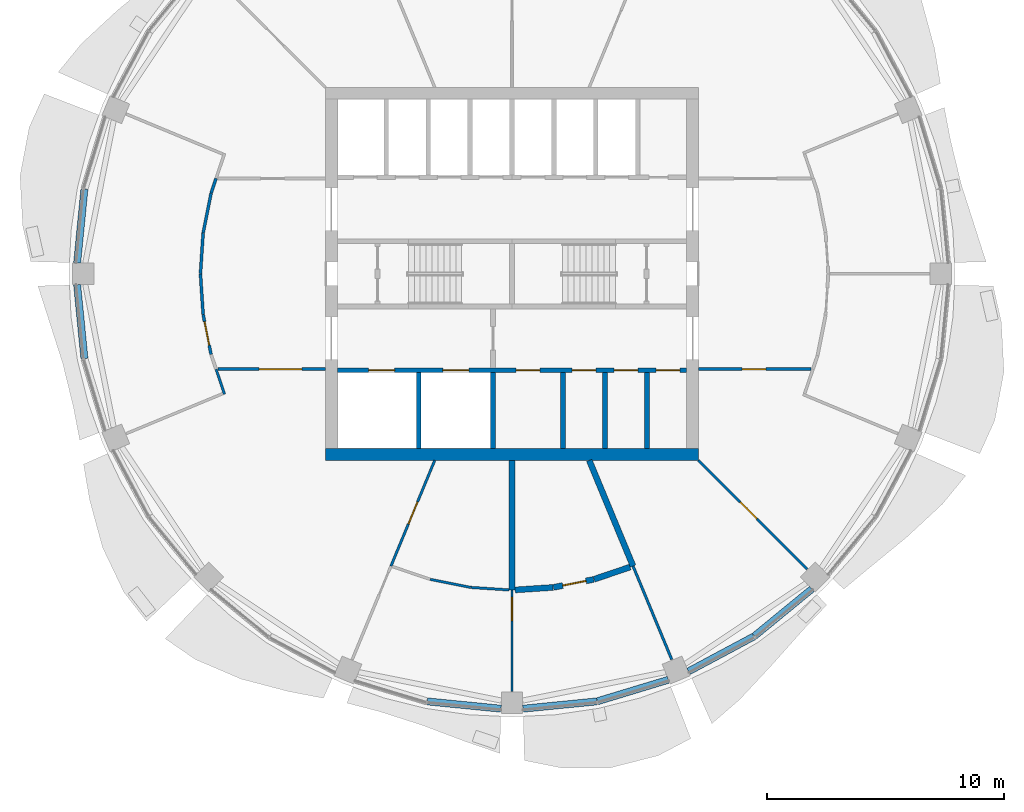
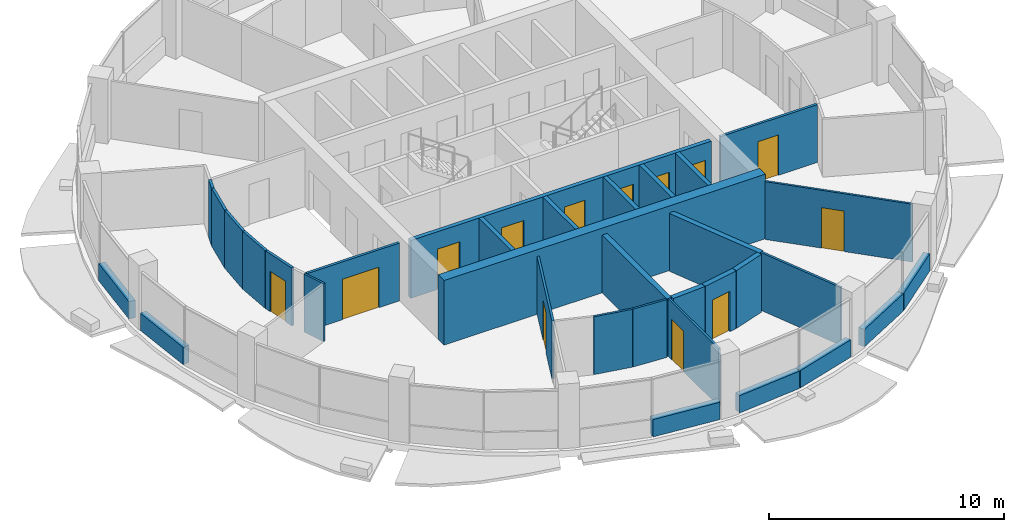
# One storey, part 8 of 15: 33 walls, 13 doors, 13 openings.
"""IFC4 building model written with IfcOpenShell, lengths in metres."""

from ifc_helpers import new_model, si_unit, direction, frame, frame_2d, origin, place, context, subcontext, project, spatial, rectangle, extrude, material, layer, layer_set, type_object, element, fill, save


model = new_model("IFC4")

# Units and contexts
model_context = context("Model", 3, precision=1e-05, world=origin(), true_north=direction((0.0, 1.0)))
body_context = subcontext(model_context, "Body", "Model", "MODEL_VIEW")
ifc_project = project(units=[si_unit("LENGTHUNIT", "METRE"), si_unit("AREAUNIT", "SQUARE_METRE"), si_unit("VOLUMEUNIT", "CUBIC_METRE"), si_unit("PLANEANGLEUNIT", "RADIAN"), si_unit("MASSUNIT", "GRAM", prefix="KILO")], contexts=[model_context])

# Site, building, storey
site_placement = place(None, origin())
site = spatial("IfcSite", under=ifc_project, at=site_placement, CompositionType="ELEMENT")
building_placement = place(site_placement, origin())
building = spatial("IfcBuilding", under=site, at=building_placement, Name="Polderwave Tower", CompositionType="ELEMENT")
storey_placement = place(building_placement, frame((0.0, 0.0, 167.550048828125)))
storey = spatial("IfcBuildingStorey", under=building, at=storey_placement, Name="L44", CompositionType="ELEMENT", Elevation=167.550048828125)

# Walls
ifc_material_1 = material(Name="Concrete C60/75", Category="concrete")
ifc_layer_1 = layer(ifc_material_1, 0.5)
ifc_layer_set_1 = layer_set([ifc_layer_1], Name="CORE WALL 500 C60/75")
wall_type_1 = type_object("IfcWallType", Name="CORE WALL 500 C60/75", PredefinedType="SHEAR", material=ifc_layer_set_1)
wall_1_placement = place(storey_placement, frame((-7.8740234375, -7.6240234375, 0.0), z_axis=(0.0, 0.0, 1.0), x_axis=(1.0, 0.0, 0.0)))
element("IfcWall", 1, at=wall_1_placement, inside=storey, type_object=wall_type_1, Name="ST-CORE-L44-S", PredefinedType="SHEAR", context=body_context, shape_type="SweptSolid", body=[
    extrude(rectangle(XDim=15.748046875, YDim=0.5, at=frame_2d((7.8740234375, 0.0))), origin(), (0.0, 0.0, 1.0), 3.349853515625),
])
ifc_material_2 = material(Name="Concrete C50/60 (board-marked)", Category="concrete")
ifc_layer_2 = layer(ifc_material_2, 0.300048828125)
ifc_layer_set_2 = layer_set([ifc_layer_2], Name="Concrete spandrel upstand C50/60")
wall_type_2 = type_object("IfcWallType", Name="Concrete spandrel upstand C50/60", PredefinedType="SOLIDWALL", material=ifc_layer_set_2)
for number, where, z_axis, x_axis, name in (
    (2, (-18.047607421875, 3.57421875, 0.0), (0.0, 0.0, 1.0), (-0.098188848083, -0.995167799978, 0.0), "Spandrel L44 8b"),
    (3, (-18.3544921875, -0.4638671875, 0.0), (0.0, 0.0, 1.0), (0.098188848083, -0.995167799978, 0.0), "Spandrel L44 9a"),
    (4, (-3.57421875, -18.047607421875, 0.0), (0.0, 0.0, 1.0), (0.995167799978, -0.098188848083, 0.0), "Spandrel L44 12b"),
    (5, (0.4638671875, -18.3544921875, 0.0), (0.0, 0.0, 1.0), (0.995167799978, 0.098188848083, 0.0), "Spandrel L44 13a"),
):
    element("IfcWall", number, at=place(storey_placement, frame(where, z_axis=z_axis, x_axis=x_axis)), inside=storey, type_object=wall_type_2, Name=name, PredefinedType="SOLIDWALL", context=body_context, shape_type="SweptSolid", body=[
        extrude(rectangle(XDim=3.12548828125, YDim=0.300048828125, at=frame_2d((1.562744140625, 0.0))), origin(), (0.0, 0.0, 1.0), 0.89990234375),
    ])
wall_2_placement = place(storey_placement, frame((3.603515625, -18.04150390625, 0.0), z_axis=(0.0, 0.0, 1.0), x_axis=(0.957001416136, 0.290083245834, 0.0)))
element("IfcWall", 6, at=wall_2_placement, inside=storey, type_object=wall_type_2, Name="Spandrel L44 13b", PredefinedType="SOLIDWALL", context=body_context, shape_type="SweptSolid", body=[
    extrude(rectangle(XDim=3.126708984375, YDim=0.300048828125, at=frame_2d((1.5634765625, 0.0))), origin(), (0.0, 0.0, 1.0), 0.89990234375),
])
wall_3_placement = place(storey_placement, frame((7.4521484375, -16.77880859375, 0.0), z_axis=(0.0, 0.0, 1.0), x_axis=(0.882024038027, 0.47120441036, 0.0)))
element("IfcWall", 7, at=wall_3_placement, inside=storey, type_object=wall_type_2, Name="Spandrel L44 14a", PredefinedType="SOLIDWALL", context=body_context, shape_type="SweptSolid", body=[
    extrude(rectangle(XDim=3.125244140625, YDim=0.300048828125, at=frame_2d((1.5625, 0.0))), origin(), (0.0, 0.0, 1.0), 0.89990234375),
])
wall_4_placement = place(storey_placement, frame((10.233642578125, -15.28955078125, 0.0), z_axis=(0.0, 0.0, 1.0), x_axis=(0.773170547901, 0.634198158195, 0.0)))
element("IfcWall", 8, at=wall_4_placement, inside=storey, type_object=wall_type_2, Name="Spandrel L44 14b", PredefinedType="SOLIDWALL", context=body_context, shape_type="SweptSolid", body=[
    extrude(rectangle(XDim=3.126953125, YDim=0.300048828125, at=frame_2d((1.5634765625, 0.0))), origin(), (0.0, 0.0, 1.0), 0.89990234375),
])
ifc_material_3 = material(Name="Gypsum board partition")
ifc_layer_3 = layer(ifc_material_3, 0.199951171875)
ifc_layer_set_3 = layer_set([ifc_layer_3], Name="Core room partition 200")
wall_type_3 = type_object("IfcWallType", Name="Core room partition 200", PredefinedType="PARTITIONING", material=ifc_layer_set_3)
for number, where, z_axis, x_axis, name in (
    (9, (2.153564453125, -7.3740234375, 0.0), (0.0, 0.0, 1.0), (0.0, 1.0, 0.0), "L44 room partition S1"),
    (10, (3.927001953125, -7.3740234375, 0.0), (0.0, 0.0, 1.0), (0.0, 1.0, 0.0), "L44 room partition S2"),
    (11, (5.700439453125, -7.3740234375, 0.0), (0.0, 0.0, 1.0), (0.0, 1.0, 0.0), "L44 room partition S3"),
):
    element("IfcWall", number, at=place(storey_placement, frame(where, z_axis=z_axis, x_axis=x_axis)), inside=storey, type_object=wall_type_3, Name=name, PredefinedType="PARTITIONING", context=body_context, shape_type="SweptSolid", body=[
        extrude(rectangle(XDim=3.199951171875, YDim=0.199951171875, at=frame_2d((1.60009765625, 0.0))), origin(), (0.0, 0.0, 1.0), 3.0),
    ])

# Wall, openings, doors
ifc_material_4 = material(Name="Concrete C50/60", Category="concrete")
ifc_layer_4 = layer(ifc_material_4, 0.199951171875)
ifc_layer_set_4 = layer_set([ifc_layer_4], Name="Core web wall 200")
wall_type_4 = type_object("IfcWallType", Name="Core web wall 200", PredefinedType="SHEAR", material=ifc_layer_set_4)
wall_5_placement = place(storey_placement, frame((-7.3740234375, -4.073974609375, 0.0), z_axis=(0.0, 0.0, 1.0), x_axis=(1.0, 0.0, 0.0)))
wall_5 = element("IfcWall", 12, at=wall_5_placement, inside=storey, type_object=wall_type_4, Name="L44 south front wall", PredefinedType="SHEAR", context=body_context, shape_type="SweptSolid", body=[
    extrude(rectangle(XDim=14.748046875, YDim=0.199951171875, at=frame_2d((7.3740234375, 0.0))), origin(), (0.0, 0.0, 1.0), 3.0),
])
opening_1_placement = place(wall_5_placement, frame((1.318603515625, 0.0, 0.0)))
opening_1 = element("IfcOpeningElement", 13, at=opening_1_placement, cuts=wall_5, Name="Opening L44-D01", PredefinedType="OPENING", context=body_context, shape_type="SweptSolid", body=[
    extrude(rectangle(XDim=1.10009765625, YDim=2.10009765625, at=frame_2d((0.550048828125, 1.050048828125))), frame((0.0, 0.10986328125, 0.0), z_axis=(0.0, -1.0, 0.0), x_axis=(1.0, 0.0, 0.0)), (0.0, 0.0, 1.0), 0.219970703125),
])
opening_2_placement = place(wall_5_placement, frame((4.45556640625, 0.0, 0.0)))
opening_2 = element("IfcOpeningElement", 14, at=opening_2_placement, cuts=wall_5, Name="Opening L44-D02", PredefinedType="OPENING", context=body_context, shape_type="SweptSolid", body=[
    extrude(rectangle(XDim=1.10009765625, YDim=2.10009765625, at=frame_2d((0.550048828125, 1.050048828125))), frame((0.0, 0.10986328125, 0.0), z_axis=(0.0, -1.0, 0.0), x_axis=(1.0, 0.0, 0.0)), (0.0, 0.0, 1.0), 0.219970703125),
])
opening_3_placement = place(wall_5_placement, frame((7.55078125, 0.0, 0.0)))
opening_3 = element("IfcOpeningElement", 15, at=opening_3_placement, cuts=wall_5, Name="Opening L44-D15", PredefinedType="OPENING", context=body_context, shape_type="SweptSolid", body=[
    extrude(rectangle(XDim=1.0, YDim=2.10009765625, at=frame_2d((0.5, 1.050048828125))), frame((0.0, 0.10986328125, 0.0), z_axis=(0.0, -1.0, 0.0), x_axis=(1.0, 0.0, 0.0)), (0.0, 0.0, 1.0), 0.219970703125),
])
opening_4_placement = place(wall_5_placement, frame((9.914306640625, 0.0, 0.0)))
opening_4 = element("IfcOpeningElement", 16, at=opening_4_placement, cuts=wall_5, Name="Opening L44-D16", PredefinedType="OPENING", context=body_context, shape_type="SweptSolid", body=[
    extrude(rectangle(XDim=1.0, YDim=2.10009765625, at=frame_2d((0.5, 1.050048828125))), frame((0.0, 0.10986328125, 0.0), z_axis=(0.0, -1.0, 0.0), x_axis=(1.0, 0.0, 0.0)), (0.0, 0.0, 1.0), 0.219970703125),
])
opening_5_placement = place(wall_5_placement, frame((11.687744140625, 0.0, 0.0)))
opening_5 = element("IfcOpeningElement", 17, at=opening_5_placement, cuts=wall_5, Name="Opening L44-D17", PredefinedType="OPENING", context=body_context, shape_type="SweptSolid", body=[
    extrude(rectangle(XDim=1.0, YDim=2.10009765625, at=frame_2d((0.5, 1.050048828125))), frame((0.0, 0.10986328125, 0.0), z_axis=(0.0, -1.0, 0.0), x_axis=(1.0, 0.0, 0.0)), (0.0, 0.0, 1.0), 0.219970703125),
])
opening_6_placement = place(wall_5_placement, frame((13.461181640625, 0.0, 0.0)))
opening_6 = element("IfcOpeningElement", 18, at=opening_6_placement, cuts=wall_5, Name="Opening L44-D18", PredefinedType="OPENING", context=body_context, shape_type="SweptSolid", body=[
    extrude(rectangle(XDim=1.0, YDim=2.10009765625, at=frame_2d((0.5, 1.050048828125))), frame((0.0, 0.10986328125, 0.0), z_axis=(0.0, -1.0, 0.0), x_axis=(1.0, 0.0, 0.0)), (0.0, 0.0, 1.0), 0.219970703125),
])
ifc_material_5 = material(Name="Stainless steel", Category="steel")
door_type_1 = type_object("IfcDoorType", Name="Fire-fighting lift landing door 1100", OperationType="DOUBLE_DOOR_SLIDING", PredefinedType="DOOR", material=ifc_material_5)
door_1_placement = place(opening_1_placement, origin())
door_1 = element("IfcDoor", 19, at=door_1_placement, inside=storey, type_object=door_type_1, Name="Fire-fighting lift FF1 landing door", OperationType="DOUBLE_DOOR_SLIDING", OverallHeight=2.10009765625, OverallWidth=1.10009765625, PredefinedType="DOOR", context=body_context, shape_type="SweptSolid", body=[
    extrude(rectangle(XDim=1.10009765625, YDim=2.10009765625, at=frame_2d((0.550048828125, 1.050048828125))), frame((0.0, 0.02490234375, 0.0), z_axis=(0.0, -1.0, 0.0), x_axis=(1.0, 0.0, 0.0)), (0.0, 0.0, 1.0), 0.050048828125),
])
fill(opening_1, door_1)
door_2_placement = place(opening_2_placement, origin())
door_2 = element("IfcDoor", 20, at=door_2_placement, inside=storey, type_object=door_type_1, Name="Fire-fighting lift FF2 landing door", OperationType="DOUBLE_DOOR_SLIDING", OverallHeight=2.10009765625, OverallWidth=1.10009765625, PredefinedType="DOOR", context=body_context, shape_type="SweptSolid", body=[
    extrude(rectangle(XDim=1.10009765625, YDim=2.10009765625, at=frame_2d((0.550048828125, 1.050048828125))), frame((0.0, 0.02490234375, 0.0), z_axis=(0.0, -1.0, 0.0), x_axis=(1.0, 0.0, 0.0)), (0.0, 0.0, 1.0), 0.050048828125),
])
fill(opening_2, door_2)
ifc_material_6 = material(Name="Timber door leaf", Category="wood")
door_type_2 = type_object("IfcDoorType", Name="Room door 1000", OperationType="NOTDEFINED", PredefinedType="DOOR", material=ifc_material_6)
door_3_placement = place(opening_3_placement, frame((1.0, 0.0, 0.0), z_axis=(0.0, 0.0, 1.0), x_axis=(-1.0, 0.0, 0.0)))
door_3 = element("IfcDoor", 21, at=door_3_placement, inside=storey, type_object=door_type_2, Name="Pantry door", OperationType="SINGLE_SWING_LEFT", OverallHeight=2.10009765625, OverallWidth=1.0, PredefinedType="DOOR", context=body_context, shape_type="SweptSolid", body=[
    extrude(rectangle(XDim=1.0, YDim=2.10009765625, at=frame_2d((0.5, 1.050048828125))), frame((0.0, 0.02490234375, 0.0), z_axis=(0.0, -1.0, 0.0), x_axis=(1.0, 0.0, 0.0)), (0.0, 0.0, 1.0), 0.050048828125),
])
fill(opening_3, door_3)
door_4_placement = place(opening_4_placement, frame((1.0, 0.0, 0.0), z_axis=(0.0, 0.0, 1.0), x_axis=(-1.0, 0.0, 0.0)))
door_4 = element("IfcDoor", 22, at=door_4_placement, inside=storey, type_object=door_type_2, Name="Store door", OperationType="SINGLE_SWING_LEFT", OverallHeight=2.10009765625, OverallWidth=1.0, PredefinedType="DOOR", context=body_context, shape_type="SweptSolid", body=[
    extrude(rectangle(XDim=1.0, YDim=2.10009765625, at=frame_2d((0.5, 1.050048828125))), frame((0.0, 0.02490234375, 0.0), z_axis=(0.0, -1.0, 0.0), x_axis=(1.0, 0.0, 0.0)), (0.0, 0.0, 1.0), 0.050048828125),
])
fill(opening_4, door_4)
door_5_placement = place(opening_5_placement, frame((1.0, 0.0, 0.0), z_axis=(0.0, 0.0, 1.0), x_axis=(-1.0, 0.0, 0.0)))
door_5 = element("IfcDoor", 23, at=door_5_placement, inside=storey, type_object=door_type_2, Name="Staff WC door", OperationType="SINGLE_SWING_LEFT", OverallHeight=2.10009765625, OverallWidth=1.0, PredefinedType="DOOR", context=body_context, shape_type="SweptSolid", body=[
    extrude(rectangle(XDim=1.0, YDim=2.10009765625, at=frame_2d((0.5, 1.050048828125))), frame((0.0, 0.02490234375, 0.0), z_axis=(0.0, -1.0, 0.0), x_axis=(1.0, 0.0, 0.0)), (0.0, 0.0, 1.0), 0.050048828125),
])
fill(opening_5, door_5)
door_6_placement = place(opening_6_placement, frame((1.0, 0.0, 0.0), z_axis=(0.0, 0.0, 1.0), x_axis=(-1.0, 0.0, 0.0)))
door_6 = element("IfcDoor", 24, at=door_6_placement, inside=storey, type_object=door_type_2, Name="Cleaner's store door", OperationType="SINGLE_SWING_LEFT", OverallHeight=2.10009765625, OverallWidth=1.0, PredefinedType="DOOR", context=body_context, shape_type="SweptSolid", body=[
    extrude(rectangle(XDim=1.0, YDim=2.10009765625, at=frame_2d((0.5, 1.050048828125))), frame((0.0, 0.02490234375, 0.0), z_axis=(0.0, -1.0, 0.0), x_axis=(1.0, 0.0, 0.0)), (0.0, 0.0, 1.0), 0.050048828125),
])
fill(opening_6, door_6)

# Wall, opening, door
ifc_material_7 = material(Name="Fire-resisting board on steel studs", Category="steel")
ifc_layer_5 = layer(ifc_material_7, 0.125)
ifc_layer_set_5 = layer_set([ifc_layer_5], Name="Corridor wall 125 mm EI 60")
wall_type_5 = type_object("IfcWallType", Name="Corridor wall 125 mm EI 60", PredefinedType="PARTITIONING", material=ifc_layer_set_5)
wall_6_placement = place(storey_placement, frame((12.61474609375, -4.0244140625, 0.0), z_axis=(0.0, 0.0, 1.0), x_axis=(-1.0, 0.0, 0.0)))
wall_6 = element("IfcWall", 25, at=wall_6_placement, inside=storey, type_object=wall_type_5, Name="IN-L44-W005", PredefinedType="PARTITIONING", context=body_context, shape_type="SweptSolid", body=[
    extrude(rectangle(XDim=4.74072265625, YDim=0.125, at=frame_2d((2.370361328125, 0.0))), origin(), (0.0, 0.0, 1.0), 3.0),
])
opening_7_placement = place(wall_6_placement, frame((1.89990234375, 0.0, 0.0)))
opening_7 = element("IfcOpeningElement", 26, at=opening_7_placement, cuts=wall_6, Name="Opening L44-D52", PredefinedType="OPENING", context=body_context, shape_type="SweptSolid", body=[
    extrude(rectangle(XDim=1.0, YDim=2.10009765625, at=frame_2d((0.5, 1.050048828125))), frame((0.0, 0.072509765625, 0.0), z_axis=(0.0, -1.0, 0.0), x_axis=(1.0, 0.0, 0.0)), (0.0, 0.0, 1.0), 0.14501953125),
])
ifc_material_8 = material(Name="Timber fire door leaf", Category="wood")
door_type_3 = type_object("IfcDoorType", Name="Fire door FD30S 1000 x 2100", OperationType="NOTDEFINED", PredefinedType="DOOR", material=ifc_material_8)
door_7_placement = place(opening_7_placement, origin())
door_7 = element("IfcDoor", 27, at=door_7_placement, inside=storey, type_object=door_type_3, Name="Door L44-D52", OperationType="SINGLE_SWING_RIGHT", OverallHeight=2.10009765625, OverallWidth=1.0, PredefinedType="DOOR", context=body_context, shape_type="SweptSolid", body=[
    extrude(rectangle(XDim=1.0, YDim=2.10009765625, at=frame_2d((0.5, 1.050048828125))), frame((0.0, 0.02490234375, 0.0), z_axis=(0.0, -1.0, 0.0), x_axis=(1.0, 0.0, 0.0)), (0.0, 0.0, 1.0), 0.050048828125),
])
fill(opening_7, door_7)

# Walls
for number, where, z_axis, x_axis, name in (
    (28, (-13.149658203125, 0.004150390625, 0.0), (0.0, 0.0, 1.0), (0.06531684654, 0.997864574759, 0.0), "IN-L44-W010"),
    (29, (-13.037841796875, -1.71240234375, 0.0), (0.0, 0.0, 1.0), (-0.06531684654, 0.997864574759, 0.0), "IN-L44-W011"),
    (30, (-13.03662109375, 1.720458984375, 0.0), (0.0, 0.0, 1.0), (0.195101249107, 0.980783106806, 0.0), "IN-L44-W012"),
):
    element("IfcWall", number, at=place(storey_placement, frame(where, z_axis=z_axis, x_axis=x_axis)), inside=storey, type_object=wall_type_5, Name=name, PredefinedType="PARTITIONING", context=body_context, shape_type="SweptSolid", body=[
        extrude(rectangle(XDim=1.7119140625, YDim=0.125, at=frame_2d((0.85595703125, 0.0))), origin(), (0.0, 0.0, 1.0), 3.0),
    ])

# Wall, opening, door
wall_7_placement = place(storey_placement, frame((-12.70263671875, -3.3994140625, 0.0), z_axis=(0.0, 0.0, 1.0), x_axis=(-0.195101249107, 0.980783106806, 0.0)))
wall_7 = element("IfcWall", 31, at=wall_7_placement, inside=storey, type_object=wall_type_5, Name="IN-L44-W013", PredefinedType="PARTITIONING", context=body_context, shape_type="SweptSolid", body=[
    extrude(rectangle(XDim=1.7119140625, YDim=0.125, at=frame_2d((0.85595703125, 0.0))), origin(), (0.0, 0.0, 1.0), 3.0),
])
opening_8_placement = place(wall_7_placement, frame((0.39990234375, 0.0, 0.0)))
opening_8 = element("IfcOpeningElement", 32, at=opening_8_placement, cuts=wall_7, Name="Opening L44-D55", PredefinedType="OPENING", context=body_context, shape_type="SweptSolid", body=[
    extrude(rectangle(XDim=1.0, YDim=2.10009765625, at=frame_2d((0.5, 1.050048828125))), frame((0.0, 0.072509765625, 0.0), z_axis=(0.0, -1.0, 0.0), x_axis=(1.0, 0.0, 0.0)), (0.0, 0.0, 1.0), 0.14501953125),
])
door_8_placement = place(opening_8_placement, origin())
door_8 = element("IfcDoor", 33, at=door_8_placement, inside=storey, type_object=door_type_3, Name="Door L44-D55", OperationType="SINGLE_SWING_RIGHT", OverallHeight=2.10009765625, OverallWidth=1.0, PredefinedType="DOOR", context=body_context, shape_type="SweptSolid", body=[
    extrude(rectangle(XDim=1.0, YDim=2.10009765625, at=frame_2d((0.5, 1.050048828125))), frame((0.0, 0.02490234375, 0.0), z_axis=(0.0, -1.0, 0.0), x_axis=(1.0, 0.0, 0.0)), (0.0, 0.0, 1.0), 0.050048828125),
])
fill(opening_8, door_8)

# Wall
wall_8_placement = place(storey_placement, frame((-12.70068359375, 3.407470703125, 0.0), z_axis=(0.0, 0.0, 1.0), x_axis=(0.321506357846, 0.946907419902, 0.0)))
element("IfcWall", 34, at=wall_8_placement, inside=storey, type_object=wall_type_5, Name="IN-L44-W014", PredefinedType="PARTITIONING", context=body_context, shape_type="SweptSolid", body=[
    extrude(rectangle(XDim=0.651611328125, YDim=0.125, at=frame_2d((0.32568359375, 0.0))), origin(), (0.0, 0.0, 1.0), 3.0),
])

# Wall, opening, door
wall_9_placement = place(storey_placement, frame((-7.8740234375, -4.0244140625, 0.0), z_axis=(0.0, 0.0, 1.0), x_axis=(-1.0, 0.0, 0.0)))
wall_9 = element("IfcWall", 35, at=wall_9_placement, inside=storey, type_object=wall_type_5, Name="IN-L44-W016", PredefinedType="PARTITIONING", context=body_context, shape_type="SweptSolid", body=[
    extrude(rectangle(XDim=4.52978515625, YDim=0.125, at=frame_2d((2.264892578125, 0.0))), origin(), (0.0, 0.0, 1.0), 3.0),
])
opening_9_placement = place(wall_9_placement, frame((1.0, 0.0, 0.0)))
opening_9 = element("IfcOpeningElement", 36, at=opening_9_placement, cuts=wall_9, Name="Opening L44-D56", PredefinedType="OPENING", context=body_context, shape_type="SweptSolid", body=[
    extrude(rectangle(XDim=1.800048828125, YDim=2.10009765625, at=frame_2d((0.89990234375, 1.050048828125))), frame((0.0, 0.072509765625, 0.0), z_axis=(0.0, -1.0, 0.0), x_axis=(1.0, 0.0, 0.0)), (0.0, 0.0, 1.0), 0.14501953125),
])
ifc_material_9 = material(Name="Timber fire door leaves", Category="wood")
door_type_4 = type_object("IfcDoorType", Name="Double fire door FD30S 1800 x 2100", OperationType="NOTDEFINED", PredefinedType="DOOR", material=ifc_material_9)
door_9_placement = place(opening_9_placement, origin())
door_9 = element("IfcDoor", 37, at=door_9_placement, inside=storey, type_object=door_type_4, Name="Door L44-D56", OperationType="DOUBLE_DOOR_SINGLE_SWING", OverallHeight=2.10009765625, OverallWidth=1.800048828125, PredefinedType="DOOR", context=body_context, shape_type="SweptSolid", body=[
    extrude(rectangle(XDim=1.800048828125, YDim=2.10009765625, at=frame_2d((0.89990234375, 1.050048828125))), frame((0.0, 0.02490234375, 0.0), z_axis=(0.0, -1.0, 0.0), x_axis=(1.0, 0.0, 0.0)), (0.0, 0.0, 1.0), 0.050048828125),
])
fill(opening_9, door_9)

ifc_material_10 = material(Name="Plasterboard on steel studs", Category="steel")
ifc_layer_6 = layer(ifc_material_10, 0.10009765625)
ifc_layer_set_6 = layer_set([ifc_layer_6], Name="Partition 100 mm plasterboard on steel studs")
wall_type_6 = type_object("IfcWallType", Name="Partition 100 mm plasterboard on steel studs", PredefinedType="PARTITIONING", material=ifc_layer_set_6)
wall_10_placement = place(storey_placement, frame((0.0, -13.35009765625, 0.0), z_axis=(0.0, 0.0, 1.0), x_axis=(0.0, -1.0, 0.0)))
wall_10 = element("IfcWall", 38, at=wall_10_placement, inside=storey, type_object=wall_type_6, Name="IN-L44-W042", PredefinedType="PARTITIONING", context=body_context, shape_type="SweptSolid", body=[
    extrude(rectangle(XDim=4.27001953125, YDim=0.10009765625, at=frame_2d((2.135009765625, 0.0))), origin(), (0.0, 0.0, 1.0), 3.0),
])
opening_10_placement = place(wall_10_placement, frame((0.300048828125, 0.0, 0.0)))
opening_10 = element("IfcOpeningElement", 39, at=opening_10_placement, cuts=wall_10, Name="Opening L44-D63", PredefinedType="OPENING", context=body_context, shape_type="SweptSolid", body=[
    extrude(rectangle(XDim=1.0, YDim=2.10009765625, at=frame_2d((0.5, 1.050048828125))), frame((0.0, 0.06005859375, 0.0), z_axis=(0.0, -1.0, 0.0), x_axis=(1.0, 0.0, 0.0)), (0.0, 0.0, 1.0), 0.1201171875),
])
ifc_material_11 = material(Name="Timber veneer door leaf", Category="wood")
door_type_5 = type_object("IfcDoorType", Name="Single door 1000 x 2100", OperationType="NOTDEFINED", PredefinedType="DOOR", material=ifc_material_11)
door_10_placement = place(opening_10_placement, origin())
door_10 = element("IfcDoor", 40, at=door_10_placement, inside=storey, type_object=door_type_5, Name="Door L44-D63", OperationType="SINGLE_SWING_LEFT", OverallHeight=2.10009765625, OverallWidth=1.0, PredefinedType="DOOR", context=body_context, shape_type="SweptSolid", body=[
    extrude(rectangle(XDim=1.0, YDim=2.10009765625, at=frame_2d((0.5, 1.050048828125))), frame((0.0, 0.02490234375, 0.0), z_axis=(0.0, -1.0, 0.0), x_axis=(1.0, 0.0, 0.0)), (0.0, 0.0, 1.0), 0.050048828125),
])
fill(opening_10, door_10)

wall_11_placement = place(storey_placement, frame((12.459228515625, -12.459228515625, 0.0), z_axis=(0.0, 0.0, 1.0), x_axis=(-0.707106781187, 0.707106781187, 0.0)))
wall_11 = element("IfcWall", 41, at=wall_11_placement, inside=storey, type_object=wall_type_6, Name="IN-L44-W048", PredefinedType="PARTITIONING", context=body_context, shape_type="SweptSolid", body=[
    extrude(rectangle(XDim=6.484375, YDim=0.10009765625, at=frame_2d((3.2421875, 0.0))), origin(), (0.0, 0.0, 1.0), 3.0),
])
opening_11_placement = place(wall_11_placement, frame((3.0, 0.0, 0.0)))
opening_11 = element("IfcOpeningElement", 42, at=opening_11_placement, cuts=wall_11, Name="Opening L44-D65", PredefinedType="OPENING", context=body_context, shape_type="SweptSolid", body=[
    extrude(rectangle(XDim=1.0, YDim=2.10009765625, at=frame_2d((0.5, 1.050048828125))), frame((0.0, 0.06005859375, 0.0), z_axis=(0.0, -1.0, 0.0), x_axis=(1.0, 0.0, 0.0)), (0.0, 0.0, 1.0), 0.1201171875),
])
door_11_placement = place(opening_11_placement, origin())
door_11 = element("IfcDoor", 43, at=door_11_placement, inside=storey, type_object=door_type_5, Name="Door L44-D65", OperationType="SINGLE_SWING_RIGHT", OverallHeight=2.10009765625, OverallWidth=1.0, PredefinedType="DOOR", context=body_context, shape_type="SweptSolid", body=[
    extrude(rectangle(XDim=1.0, YDim=2.10009765625, at=frame_2d((0.5, 1.050048828125))), frame((0.0, 0.02490234375, 0.0), z_axis=(0.0, -1.0, 0.0), x_axis=(1.0, 0.0, 0.0)), (0.0, 0.0, 1.0), 0.050048828125),
])
fill(opening_11, door_11)

# Wall
ifc_material_12 = material(Name="Moisture-resistant board on steel studs, tiled", Category="steel")
ifc_layer_7 = layer(ifc_material_12, 0.10498046875)
ifc_layer_set_7 = layer_set([ifc_layer_7], Name="Partition 105 mm wet room board and tile")
wall_type_7 = type_object("IfcWallType", Name="Partition 105 mm wet room board and tile", PredefinedType="PARTITIONING", material=ifc_layer_set_7)
wall_12_placement = place(storey_placement, frame((-12.4912109375, -4.0244140625, 0.0), z_axis=(0.0, 0.0, 1.0), x_axis=(0.321534356008, -0.946897913139, 0.0)))
element("IfcWall", 44, at=wall_12_placement, inside=storey, type_object=wall_type_7, Name="IN-L44-W034", PredefinedType="PARTITIONING", context=body_context, shape_type="SweptSolid", body=[
    extrude(rectangle(XDim=1.116943359375, YDim=0.10498046875, at=frame_2d((0.55859375, 0.0))), origin(), (0.0, 0.0, 1.0), 3.0),
])

# Wall, opening, door
wall_13_placement = place(storey_placement, frame((-3.261474609375, -7.8740234375, 0.0), z_axis=(0.0, 0.0, 1.0), x_axis=(-0.382707643949, -0.923869503373, 0.0)))
wall_13 = element("IfcWall", 45, at=wall_13_placement, inside=storey, type_object=wall_type_7, Name="IN-L44-W036", PredefinedType="PARTITIONING", context=body_context, shape_type="SweptSolid", body=[
    extrude(rectangle(XDim=4.8271484375, YDim=0.10498046875, at=frame_2d((2.41357421875, 0.0))), origin(), (0.0, 0.0, 1.0), 3.0),
])
opening_12_placement = place(wall_13_placement, frame((1.89990234375, 0.0, 0.0)))
opening_12 = element("IfcOpeningElement", 46, at=opening_12_placement, cuts=wall_13, Name="Opening L44-D61", PredefinedType="OPENING", context=body_context, shape_type="SweptSolid", body=[
    extrude(rectangle(XDim=1.0, YDim=2.10009765625, at=frame_2d((0.5, 1.050048828125))), frame((0.0, 0.0625, 0.0), z_axis=(0.0, -1.0, 0.0), x_axis=(1.0, 0.0, 0.0)), (0.0, 0.0, 1.0), 0.125),
])
door_12_placement = place(opening_12_placement, origin())
door_12 = element("IfcDoor", 47, at=door_12_placement, inside=storey, type_object=door_type_5, Name="Door L44-D61", OperationType="SINGLE_SWING_LEFT", OverallHeight=2.10009765625, OverallWidth=1.0, PredefinedType="DOOR", context=body_context, shape_type="SweptSolid", body=[
    extrude(rectangle(XDim=1.0, YDim=2.10009765625, at=frame_2d((0.5, 1.050048828125))), frame((0.0, 0.02490234375, 0.0), z_axis=(0.0, -1.0, 0.0), x_axis=(1.0, 0.0, 0.0)), (0.0, 0.0, 1.0), 0.050048828125),
])
fill(opening_12, door_12)

# Walls
wall_14_placement = place(storey_placement, frame((-1.745849609375, -13.235107421875, 0.0), z_axis=(0.0, 0.0, 1.0), x_axis=(-0.980785270285, 0.195090372882, 0.0)))
element("IfcWall", 48, at=wall_14_placement, inside=storey, type_object=wall_type_7, Name="IN-L44-W039", PredefinedType="PARTITIONING", context=body_context, shape_type="SweptSolid", body=[
    extrude(rectangle(XDim=1.739501953125, YDim=0.10498046875, at=frame_2d((0.86962890625, 0.0))), origin(), (0.0, 0.0, 1.0), 3.0),
])
wall_15_placement = place(storey_placement, frame((-0.12841796875, -13.341552734375, 0.0), z_axis=(0.0, 0.0, 1.0), x_axis=(-0.997862773684, 0.065344356258, 0.0)))
element("IfcWall", 49, at=wall_15_placement, inside=storey, type_object=wall_type_7, Name="IN-L44-W040", PredefinedType="PARTITIONING", context=body_context, shape_type="SweptSolid", body=[
    extrude(rectangle(XDim=1.614013671875, YDim=0.10498046875, at=frame_2d((0.80712890625, 0.0))), origin(), (0.0, 0.0, 1.0), 3.0),
])
ifc_material_13 = material(Name="Acoustic double plasterboard on steel studs", Category="steel")
ifc_layer_8 = layer(ifc_material_13, 0.110107421875)
ifc_layer_set_8 = layer_set([ifc_layer_8], Name="Partition 110 mm acoustic double board")
wall_type_8 = type_object("IfcWallType", Name="Partition 110 mm acoustic double board", PredefinedType="PARTITIONING", material=ifc_layer_set_8)
wall_16_placement = place(storey_placement, frame((5.10888671875, -12.333740234375, 0.0), z_axis=(0.0, 0.0, 1.0), x_axis=(0.382669916503, -0.923885130849, 0.0)))
element("IfcWall", 50, at=wall_16_placement, inside=storey, type_object=wall_type_8, Name="IN-L44-W047", PredefinedType="PARTITIONING", context=body_context, shape_type="SweptSolid", body=[
    extrude(rectangle(XDim=4.27001953125, YDim=0.110107421875, at=frame_2d((2.135009765625, 0.0))), origin(), (0.0, 0.0, 1.0), 3.0),
])
ifc_material_14 = material(Name="Fire-resisting board on steel studs, mineral wool", Category="steel")
ifc_layer_9 = layer(ifc_material_14, 0.25)
ifc_layer_set_9 = layer_set([ifc_layer_9], Name="Plant room wall 250 mm EI 120")
wall_type_9 = type_object("IfcWallType", Name="Plant room wall 250 mm EI 120", PredefinedType="PARTITIONING", material=ifc_layer_set_9)
wall_17_placement = place(storey_placement, frame((0.0, -7.8740234375, 0.0), z_axis=(0.0, 0.0, 1.0), x_axis=(0.0, -1.0, 0.0)))
element("IfcWall", 51, at=wall_17_placement, inside=storey, type_object=wall_type_9, Name="IN-L44-W041", PredefinedType="PARTITIONING", context=body_context, shape_type="SweptSolid", body=[
    extrude(rectangle(XDim=5.47607421875, YDim=0.25, at=frame_2d((2.738037109375, 0.0))), origin(), (0.0, 0.0, 1.0), 3.0),
])
wall_18_placement = place(storey_placement, frame((1.734375, -13.236328125, 0.0), z_axis=(0.0, 0.0, 1.0), x_axis=(-0.997857274773, -0.065428275107, 0.0)))
element("IfcWall", 52, at=wall_18_placement, inside=storey, type_object=wall_type_9, Name="IN-L44-W043", PredefinedType="PARTITIONING", context=body_context, shape_type="SweptSolid", body=[
    extrude(rectangle(XDim=1.6044921875, YDim=0.25, at=frame_2d((0.80224609375, 0.0))), origin(), (0.0, 0.0, 1.0), 3.0),
])

# Wall, opening, door
wall_19_placement = place(storey_placement, frame((1.75048828125, -13.234130859375, 0.0), z_axis=(0.0, 0.0, 1.0), x_axis=(0.98079718542, 0.195030461907, 0.0)))
wall_19 = element("IfcWall", 53, at=wall_19_placement, inside=storey, type_object=wall_type_9, Name="IN-L44-W044", PredefinedType="PARTITIONING", context=body_context, shape_type="SweptSolid", body=[
    extrude(rectangle(XDim=1.72998046875, YDim=0.25, at=frame_2d((0.864990234375, 0.0))), origin(), (0.0, 0.0, 1.0), 3.0),
])
opening_13_placement = place(wall_19_placement, frame((0.39990234375, 0.0, 0.0)))
opening_13 = element("IfcOpeningElement", 54, at=opening_13_placement, cuts=wall_19, Name="Opening L44-D64", PredefinedType="OPENING", context=body_context, shape_type="SweptSolid", body=[
    extrude(rectangle(XDim=1.0, YDim=2.10009765625, at=frame_2d((0.5, 1.050048828125))), frame((0.0, 0.135009765625, 0.0), z_axis=(0.0, -1.0, 0.0), x_axis=(1.0, 0.0, 0.0)), (0.0, 0.0, 1.0), 0.27001953125),
])
ifc_material_15 = material(Name="Steel plant door leaf", Category="steel")
door_type_6 = type_object("IfcDoorType", Name="Plant door FD60 1000 x 2100 steel", OperationType="NOTDEFINED", PredefinedType="DOOR", material=ifc_material_15)
door_13_placement = place(opening_13_placement, origin())
door_13 = element("IfcDoor", 55, at=door_13_placement, inside=storey, type_object=door_type_6, Name="Door L44-D64", OperationType="SINGLE_SWING_RIGHT", OverallHeight=2.10009765625, OverallWidth=1.0, PredefinedType="DOOR", context=body_context, shape_type="SweptSolid", body=[
    extrude(rectangle(XDim=1.0, YDim=2.10009765625, at=frame_2d((0.5, 1.050048828125))), frame((0.0, 0.02490234375, 0.0), z_axis=(0.0, -1.0, 0.0), x_axis=(1.0, 0.0, 0.0)), (0.0, 0.0, 1.0), 0.050048828125),
])
fill(opening_13, door_13)

# Walls
wall_20_placement = place(storey_placement, frame((4.982421875, -12.376708984375, 0.0), z_axis=(0.0, 0.0, 1.0), x_axis=(-0.946919168061, -0.321471754838, 0.0)))
element("IfcWall", 56, at=wall_20_placement, inside=storey, type_object=wall_type_9, Name="IN-L44-W045", PredefinedType="PARTITIONING", context=body_context, shape_type="SweptSolid", body=[
    extrude(rectangle(XDim=1.604736328125, YDim=0.25, at=frame_2d((0.80224609375, 0.0))), origin(), (0.0, 0.0, 1.0), 3.0),
])
wall_21_placement = place(storey_placement, frame((3.261474609375, -7.8740234375, 0.0), z_axis=(0.0, 0.0, 1.0), x_axis=(0.382707643949, -0.923869503373, 0.0)))
element("IfcWall", 57, at=wall_21_placement, inside=storey, type_object=wall_type_9, Name="IN-L44-W046", PredefinedType="PARTITIONING", context=body_context, shape_type="SweptSolid", body=[
    extrude(rectangle(XDim=4.8271484375, YDim=0.25, at=frame_2d((2.41357421875, 0.0))), origin(), (0.0, 0.0, 1.0), 3.0),
])
ifc_material_16 = material(Name="Gypsum shaft wall system")
ifc_layer_10 = layer(ifc_material_16, 0.199951171875)
ifc_layer_set_10 = layer_set([ifc_layer_10], Name="Shaft wall 200")
wall_type_10 = type_object("IfcWallType", Name="Shaft wall 200", PredefinedType="PARTITIONING", material=ifc_layer_set_10)
for number, where, z_axis, x_axis, name in (
    (58, (-3.93701171875, -7.3740234375, 0.0), (0.0, 0.0, 1.0), (0.0, 1.0, 0.0), "L44 fire-fighting shaft wall 1"),
    (59, (-0.800048828125, -7.3740234375, 0.0), (0.0, 0.0, 1.0), (0.0, 1.0, 0.0), "L44 fire-fighting shaft wall 2"),
):
    element("IfcWall", number, at=place(storey_placement, frame(where, z_axis=z_axis, x_axis=x_axis)), inside=storey, type_object=wall_type_10, Name=name, PredefinedType="PARTITIONING", context=body_context, shape_type="SweptSolid", body=[
        extrude(rectangle(XDim=3.199951171875, YDim=0.199951171875, at=frame_2d((1.60009765625, 0.0))), origin(), (0.0, 0.0, 1.0), 3.0),
    ])

save(model, "model.ifc")
